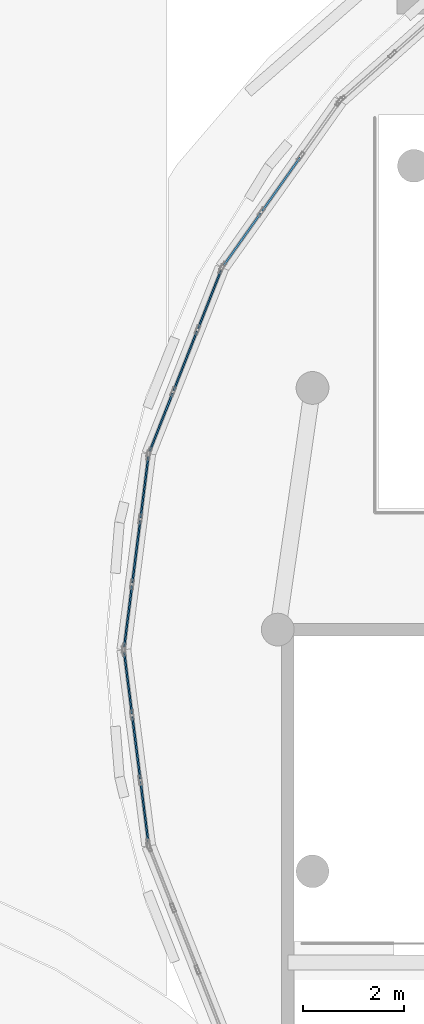
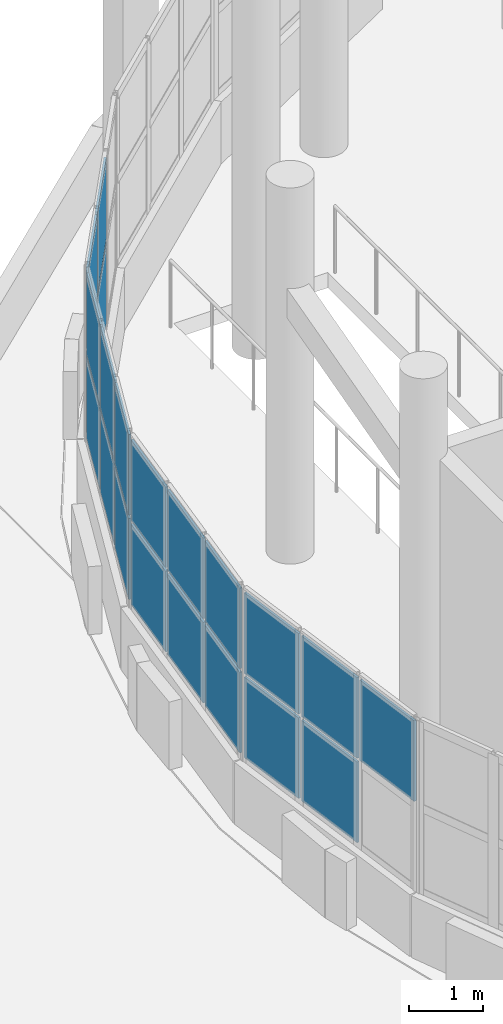
# One storey, part 69 of 105: 21 plates, 4 elements without a shape of their own.
"""IFC4 building model written with IfcOpenShell, lengths in metres."""

from ifc_helpers import new_model, si_unit, direction, frame, origin, origin_2d, place, context, subcontext, project, spatial, rectangle, extrude, material, layer, layer_set, type_object, element, aggregate, save


model = new_model("IFC4")

# Units and contexts
model_context = context("Model", 3, precision=1e-05, world=origin(), true_north=direction((0.0, 1.0)))
body_context = subcontext(model_context, "Body", "Model", "MODEL_VIEW")
ifc_project = project(units=[si_unit("LENGTHUNIT", "METRE"), si_unit("AREAUNIT", "SQUARE_METRE"), si_unit("VOLUMEUNIT", "CUBIC_METRE"), si_unit("PLANEANGLEUNIT", "RADIAN"), si_unit("MASSUNIT", "GRAM", prefix="KILO")], contexts=[model_context])

# Site, building, storey
site_placement = place(None, origin())
site = spatial("IfcSite", under=ifc_project, at=site_placement, CompositionType="ELEMENT")
building_placement = place(site_placement, origin())
building = spatial("IfcBuilding", under=site, at=building_placement, Name="Pelvatis Terrace Science Centre", CompositionType="ELEMENT")
storey_placement = place(building_placement, frame((0.0, 0.0, 10.199951171875)))
storey = spatial("IfcBuildingStorey", under=building, at=storey_placement, Name="L02", CompositionType="ELEMENT", Elevation=10.199951171875)

# Curtain wall, plates
ifc_material_1 = material(Name="Bronze-anodised aluminium and laminated glass", Category="aluminium")
ifc_layer_1 = layer(ifc_material_1, 0.179931640625)
ifc_layer_set_1 = layer_set([ifc_layer_1], Name="Bronze-anodised aluminium and laminated glass")
curtain_wall_type = type_object("IfcCurtainWallType", Name="CW-RIBBON-A", PredefinedType="NOTDEFINED", material=ifc_layer_set_1)
curtain_wall_1_placement = place(storey_placement, origin())
curtain_wall_1 = element("IfcCurtainWall", 1, at=curtain_wall_1_placement, inside=storey, type_object=curtain_wall_type, Name="Ribbon curtain wall CW-084 (L02)", PredefinedType="NOTDEFINED")
ifc_material_2 = material(Name="Low-e laminated solar-control double glazing", Category="glass")
ifc_layer_2 = layer(ifc_material_2, 0.035888671875)
ifc_layer_set_2 = layer_set([ifc_layer_2], Name="Low-e laminated solar-control double glazing")
plate_type = type_object("IfcPlateType", Name="CWP-IGU-36", PredefinedType="CURTAIN_PANEL", material=ifc_layer_set_2)
plate_1_placement = place(storey_placement, frame((61.06640625, 63.425537109375, 1.080078125), z_axis=(0.0, 0.0, 1.0), x_axis=(-0.57759146286, -0.8163259778, 0.0)))
plate_1 = element("IfcPlate", 2, at=plate_1_placement, type_object=plate_type, Name="CW-084 panel 2.1", PredefinedType="CURTAIN_PANEL", context=body_context, shape_type="SweptSolid", body=[
    extrude(rectangle(XDim=1.291015625, YDim=0.035888671875, at=origin_2d()), origin(), (0.0, 0.0, 1.0), 1.330078125),
])
plate_2_placement = place(storey_placement, frame((61.06640625, 63.425537109375, 2.469970703125), z_axis=(0.0, 0.0, 1.0), x_axis=(-0.57759146286, -0.8163259778, 0.0)))
plate_2 = element("IfcPlate", 3, at=plate_2_placement, type_object=plate_type, Name="CW-084 panel 2.2", PredefinedType="CURTAIN_PANEL", context=body_context, shape_type="SweptSolid", body=[
    extrude(rectangle(XDim=1.291015625, YDim=0.035888671875, at=origin_2d()), origin(), (0.0, 0.0, 1.0), 1.330078125),
])
plate_3_placement = place(storey_placement, frame((60.294921875, 62.3349609375, 1.080078125), z_axis=(0.0, 0.0, 1.0), x_axis=(-0.57759146286, -0.8163259778, 0.0)))
plate_3 = element("IfcPlate", 4, at=plate_3_placement, type_object=plate_type, Name="CW-084 panel 3.1", PredefinedType="CURTAIN_PANEL", context=body_context, shape_type="SweptSolid", body=[
    extrude(rectangle(XDim=1.260986328125, YDim=0.035888671875, at=origin_2d()), origin(), (0.0, 0.0, 1.0), 1.330078125),
])
plate_4_placement = place(storey_placement, frame((60.294921875, 62.3349609375, 2.469970703125), z_axis=(0.0, 0.0, 1.0), x_axis=(-0.57759146286, -0.8163259778, 0.0)))
plate_4 = element("IfcPlate", 5, at=plate_4_placement, type_object=plate_type, Name="CW-084 panel 3.2", PredefinedType="CURTAIN_PANEL", context=body_context, shape_type="SweptSolid", body=[
    extrude(rectangle(XDim=1.260986328125, YDim=0.035888671875, at=origin_2d()), origin(), (0.0, 0.0, 1.0), 1.330078125),
])
aggregate(curtain_wall_1, [plate_1, plate_2, plate_3, plate_4])

curtain_wall_2_placement = place(storey_placement, origin())
curtain_wall_2 = element("IfcCurtainWall", 6, at=curtain_wall_2_placement, inside=storey, type_object=curtain_wall_type, Name="Ribbon curtain wall CW-085 (L02)", PredefinedType="NOTDEFINED")
plate_5_placement = place(storey_placement, frame((59.648193359375, 61.142578125, 1.080078125), z_axis=(0.0, 0.0, 1.0), x_axis=(-0.366597305287, -0.930379715899, 0.0)))
plate_5 = element("IfcPlate", 7, at=plate_5_placement, type_object=plate_type, Name="CW-085 panel 1.1", PredefinedType="CURTAIN_PANEL", context=body_context, shape_type="SweptSolid", body=[
    extrude(rectangle(XDim=1.2314453125, YDim=0.035888671875, at=origin_2d()), origin(), (0.0, 0.0, 1.0), 1.330078125),
])
plate_6_placement = place(storey_placement, frame((59.648193359375, 61.142578125, 2.469970703125), z_axis=(0.0, 0.0, 1.0), x_axis=(-0.366597305287, -0.930379715899, 0.0)))
plate_6 = element("IfcPlate", 8, at=plate_6_placement, type_object=plate_type, Name="CW-085 panel 1.2", PredefinedType="CURTAIN_PANEL", context=body_context, shape_type="SweptSolid", body=[
    extrude(rectangle(XDim=1.2314453125, YDim=0.035888671875, at=origin_2d()), origin(), (0.0, 0.0, 1.0), 1.330078125),
])
plate_7_placement = place(storey_placement, frame((59.16943359375, 59.92724609375, 1.080078125), z_axis=(0.0, 0.0, 1.0), x_axis=(-0.366597305287, -0.930379715899, 0.0)))
plate_7 = element("IfcPlate", 9, at=plate_7_placement, type_object=plate_type, Name="CW-085 panel 2.1", PredefinedType="CURTAIN_PANEL", context=body_context, shape_type="SweptSolid", body=[
    extrude(rectangle(XDim=1.261474609375, YDim=0.035888671875, at=origin_2d()), origin(), (0.0, 0.0, 1.0), 1.330078125),
])
plate_8_placement = place(storey_placement, frame((59.16943359375, 59.92724609375, 2.469970703125), z_axis=(0.0, 0.0, 1.0), x_axis=(-0.366597305287, -0.930379715899, 0.0)))
plate_8 = element("IfcPlate", 10, at=plate_8_placement, type_object=plate_type, Name="CW-085 panel 2.2", PredefinedType="CURTAIN_PANEL", context=body_context, shape_type="SweptSolid", body=[
    extrude(rectangle(XDim=1.261474609375, YDim=0.035888671875, at=origin_2d()), origin(), (0.0, 0.0, 1.0), 1.330078125),
])
plate_9_placement = place(storey_placement, frame((58.6904296875, 58.711669921875, 1.080078125), z_axis=(0.0, 0.0, 1.0), x_axis=(-0.366597305287, -0.930379715899, 0.0)))
plate_9 = element("IfcPlate", 11, at=plate_9_placement, type_object=plate_type, Name="CW-085 panel 3.1", PredefinedType="CURTAIN_PANEL", context=body_context, shape_type="SweptSolid", body=[
    extrude(rectangle(XDim=1.2314453125, YDim=0.035888671875, at=origin_2d()), origin(), (0.0, 0.0, 1.0), 1.330078125),
])
plate_10_placement = place(storey_placement, frame((58.6904296875, 58.711669921875, 2.469970703125), z_axis=(0.0, 0.0, 1.0), x_axis=(-0.366597305287, -0.930379715899, 0.0)))
plate_10 = element("IfcPlate", 12, at=plate_10_placement, type_object=plate_type, Name="CW-085 panel 3.2", PredefinedType="CURTAIN_PANEL", context=body_context, shape_type="SweptSolid", body=[
    extrude(rectangle(XDim=1.2314453125, YDim=0.035888671875, at=origin_2d()), origin(), (0.0, 0.0, 1.0), 1.330078125),
])
aggregate(curtain_wall_2, [plate_5, plate_6, plate_7, plate_8, plate_9, plate_10])

curtain_wall_3_placement = place(storey_placement, origin())
curtain_wall_3 = element("IfcCurtainWall", 13, at=curtain_wall_3_placement, inside=storey, type_object=curtain_wall_type, Name="Ribbon curtain wall CW-086 (L02)", PredefinedType="NOTDEFINED")
plate_11_placement = place(storey_placement, frame((58.358642578125, 57.4208984375, 1.080078125), z_axis=(0.0, 0.0, 1.0), x_axis=(-0.125877152665, -0.992045836863, 0.0)))
plate_11 = element("IfcPlate", 14, at=plate_11_placement, type_object=plate_type, Name="CW-086 panel 1.1", PredefinedType="CURTAIN_PANEL", context=body_context, shape_type="SweptSolid", body=[
    extrude(rectangle(XDim=1.214599609375, YDim=0.035888671875, at=origin_2d()), origin(), (0.0, 0.0, 1.0), 1.330078125),
])
plate_12_placement = place(storey_placement, frame((58.358642578125, 57.4208984375, 2.469970703125), z_axis=(0.0, 0.0, 1.0), x_axis=(-0.125877152665, -0.992045836863, 0.0)))
plate_12 = element("IfcPlate", 15, at=plate_12_placement, type_object=plate_type, Name="CW-086 panel 1.2", PredefinedType="CURTAIN_PANEL", context=body_context, shape_type="SweptSolid", body=[
    extrude(rectangle(XDim=1.214599609375, YDim=0.035888671875, at=origin_2d()), origin(), (0.0, 0.0, 1.0), 1.330078125),
])
plate_13_placement = place(storey_placement, frame((58.1962890625, 56.1416015625, 1.080078125), z_axis=(0.0, 0.0, 1.0), x_axis=(-0.125877152665, -0.992045836863, 0.0)))
plate_13 = element("IfcPlate", 16, at=plate_13_placement, type_object=plate_type, Name="CW-086 panel 2.1", PredefinedType="CURTAIN_PANEL", context=body_context, shape_type="SweptSolid", body=[
    extrude(rectangle(XDim=1.24462890625, YDim=0.035888671875, at=origin_2d()), origin(), (0.0, 0.0, 1.0), 1.330078125),
])
plate_14_placement = place(storey_placement, frame((58.1962890625, 56.1416015625, 2.469970703125), z_axis=(0.0, 0.0, 1.0), x_axis=(-0.125877152665, -0.992045836863, 0.0)))
plate_14 = element("IfcPlate", 17, at=plate_14_placement, type_object=plate_type, Name="CW-086 panel 2.2", PredefinedType="CURTAIN_PANEL", context=body_context, shape_type="SweptSolid", body=[
    extrude(rectangle(XDim=1.24462890625, YDim=0.035888671875, at=origin_2d()), origin(), (0.0, 0.0, 1.0), 1.330078125),
])
plate_15_placement = place(storey_placement, frame((58.033935546875, 54.862060546875, 1.080078125), z_axis=(0.0, 0.0, 1.0), x_axis=(-0.125877152665, -0.992045836863, 0.0)))
plate_15 = element("IfcPlate", 18, at=plate_15_placement, type_object=plate_type, Name="CW-086 panel 3.1", PredefinedType="CURTAIN_PANEL", context=body_context, shape_type="SweptSolid", body=[
    extrude(rectangle(XDim=1.214599609375, YDim=0.035888671875, at=origin_2d()), origin(), (0.0, 0.0, 1.0), 1.330078125),
])
plate_16_placement = place(storey_placement, frame((58.033935546875, 54.862060546875, 2.469970703125), z_axis=(0.0, 0.0, 1.0), x_axis=(-0.125877152665, -0.992045836863, 0.0)))
plate_16 = element("IfcPlate", 19, at=plate_16_placement, type_object=plate_type, Name="CW-086 panel 3.2", PredefinedType="CURTAIN_PANEL", context=body_context, shape_type="SweptSolid", body=[
    extrude(rectangle(XDim=1.214599609375, YDim=0.035888671875, at=origin_2d()), origin(), (0.0, 0.0, 1.0), 1.330078125),
])
aggregate(curtain_wall_3, [plate_11, plate_12, plate_13, plate_14, plate_15, plate_16])

curtain_wall_4_placement = place(storey_placement, origin())
curtain_wall_4 = element("IfcCurtainWall", 20, at=curtain_wall_4_placement, inside=storey, type_object=curtain_wall_type, Name="Ribbon curtain wall CW-087 (L02)", PredefinedType="NOTDEFINED")
plate_17_placement = place(storey_placement, frame((58.033935546875, 53.537841796875, 1.080078125), z_axis=(0.0, 0.0, 1.0), x_axis=(0.125877152665, -0.992045836863, 0.0)))
plate_17 = element("IfcPlate", 21, at=plate_17_placement, type_object=plate_type, Name="CW-087 panel 1.1", PredefinedType="CURTAIN_PANEL", context=body_context, shape_type="SweptSolid", body=[
    extrude(rectangle(XDim=1.214599609375, YDim=0.035888671875, at=origin_2d()), origin(), (0.0, 0.0, 1.0), 1.330078125),
])
plate_18_placement = place(storey_placement, frame((58.033935546875, 53.537841796875, 2.469970703125), z_axis=(0.0, 0.0, 1.0), x_axis=(0.125877152665, -0.992045836863, 0.0)))
plate_18 = element("IfcPlate", 22, at=plate_18_placement, type_object=plate_type, Name="CW-087 panel 1.2", PredefinedType="CURTAIN_PANEL", context=body_context, shape_type="SweptSolid", body=[
    extrude(rectangle(XDim=1.214599609375, YDim=0.035888671875, at=origin_2d()), origin(), (0.0, 0.0, 1.0), 1.330078125),
])
plate_19_placement = place(storey_placement, frame((58.1962890625, 52.258544921875, 1.080078125), z_axis=(0.0, 0.0, 1.0), x_axis=(0.125877152665, -0.992045836863, 0.0)))
plate_19 = element("IfcPlate", 23, at=plate_19_placement, type_object=plate_type, Name="CW-087 panel 2.1", PredefinedType="CURTAIN_PANEL", context=body_context, shape_type="SweptSolid", body=[
    extrude(rectangle(XDim=1.24462890625, YDim=0.035888671875, at=origin_2d()), origin(), (0.0, 0.0, 1.0), 1.330078125),
])
plate_20_placement = place(storey_placement, frame((58.1962890625, 52.258544921875, 2.469970703125), z_axis=(0.0, 0.0, 1.0), x_axis=(0.125877152665, -0.992045836863, 0.0)))
plate_20 = element("IfcPlate", 24, at=plate_20_placement, type_object=plate_type, Name="CW-087 panel 2.2", PredefinedType="CURTAIN_PANEL", context=body_context, shape_type="SweptSolid", body=[
    extrude(rectangle(XDim=1.24462890625, YDim=0.035888671875, at=origin_2d()), origin(), (0.0, 0.0, 1.0), 1.330078125),
])
plate_21_placement = place(storey_placement, frame((58.358642578125, 50.97900390625, 2.469970703125), z_axis=(0.0, 0.0, 1.0), x_axis=(0.125877152665, -0.992045836863, 0.0)))
plate_21 = element("IfcPlate", 25, at=plate_21_placement, type_object=plate_type, Name="CW-087 panel 3.2", PredefinedType="CURTAIN_PANEL", context=body_context, shape_type="SweptSolid", body=[
    extrude(rectangle(XDim=1.214599609375, YDim=0.035888671875, at=origin_2d()), origin(), (0.0, 0.0, 1.0), 1.330078125),
])
aggregate(curtain_wall_4, [plate_17, plate_18, plate_19, plate_20, plate_21])

save(model, "model.ifc")
